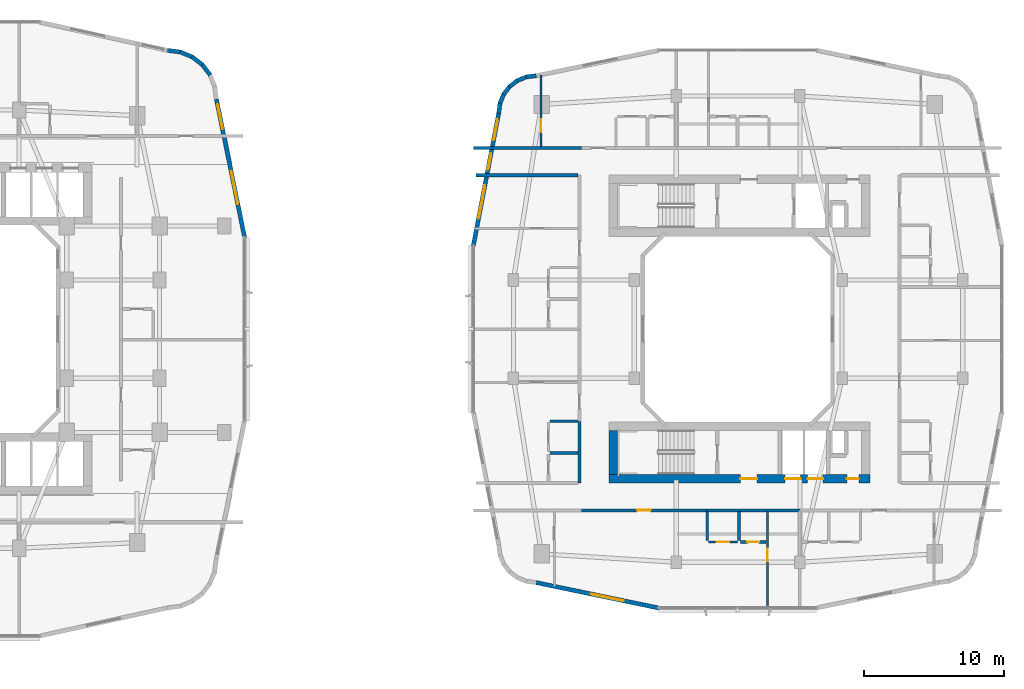
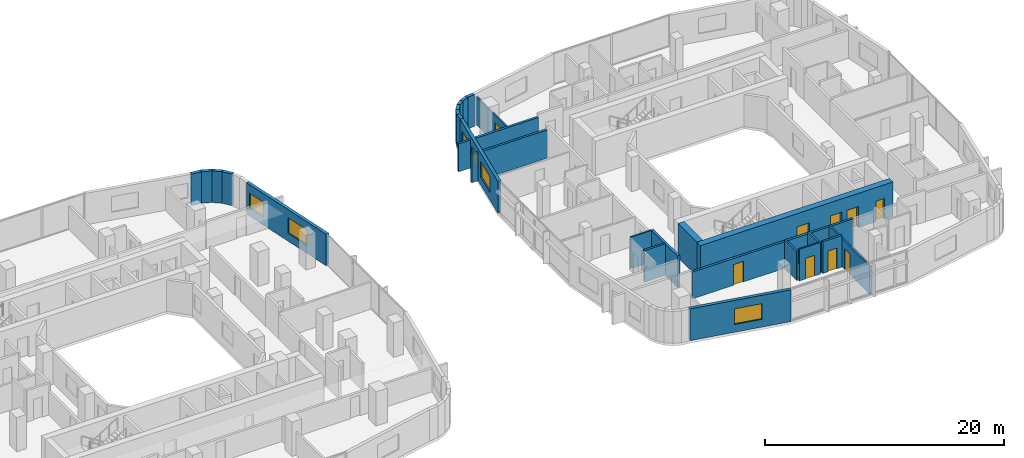
# One storey, part 17 of 26: 28 walls, 9 doors, 6 windows, 15 openings.
"""IFC4 building model written with IfcOpenShell, lengths in metres."""

import ifcopenshell
import ifcopenshell.guid

model = None  # the IFC model being written
_history = None  # IfcOwnerHistory: only IFC2X3 demands one
_inside = {}  # id of a spatial element -> (the spatial element, [elements in it])
_under = {}  # id of a project, library or spatial element -> (it, [spatial elements below it])
_declared = {}  # id of a project -> (the project, [libraries it declares])
_typed = {}  # id of a type object -> (the type object, [elements of that type])
_made_of = {}  # id of a material, layer set ... -> (it, [elements and type objects made of it])


def new_model(schema):
    """Start an empty IFC model of exactly this schema.

    Asked for "IFC4X3", IfcOpenShell would pick the latest addendum, in which some entities
    have other attributes; the version numbers below select the first issue.
    IFC2X3 requires an IfcOwnerHistory on every rooted entity: one is made here for all.
    """
    global model, _history
    if schema == "IFC4X3":
        model = ifcopenshell.file(schema_version=(4, 3, 0, 0))
    else:
        model = ifcopenshell.file(schema=schema)
    _inside.clear()
    _under.clear()
    _declared.clear()
    _typed.clear()
    _made_of.clear()
    _history = None
    if model.schema == "IFC2X3":
        org = make("IfcOrganization", Name="unknown")
        user = make(
            "IfcPersonAndOrganization",
            ThePerson=make("IfcPerson", FamilyName="unknown"),
            TheOrganization=org,
        )
        app = make(
            "IfcApplication",
            ApplicationDeveloper=org,
            Version="unknown",
            ApplicationFullName="unknown",
            ApplicationIdentifier="unknown",
        )
        _history = make(
            "IfcOwnerHistory",
            OwningUser=user,
            OwningApplication=app,
            ChangeAction="ADDED",
            CreationDate=0,
        )
    return model


def make(cls, **values):
    """One entity of the class cls with the attributes given. An attribute that is None is left unset."""
    return model.create_entity(
        cls, **{name: value for name, value in values.items() if value is not None}
    )


def rooted(cls, **values):
    """An entity with a GlobalId (a new one), such as an element, a storey or a relation."""
    return make(cls, GlobalId=ifcopenshell.guid.new(), OwnerHistory=_history, **values)


def si_unit(unit_type, name, prefix=None):
    """IfcSIUnit, for example si_unit("LENGTHUNIT", "METRE", prefix="MILLI")."""
    return make("IfcSIUnit", UnitType=unit_type, Prefix=prefix, Name=name)


def derived_unit(unit_type, elements):
    """IfcDerivedUnit: a product of units, each with its exponent."""
    return make(
        "IfcDerivedUnit",
        Elements=[
            make("IfcDerivedUnitElement", Unit=unit, Exponent=power)
            for unit, power in elements
        ],
        UnitType=unit_type,
    )


def assignment(units):
    """IfcUnitAssignment: the units of a project."""
    return None if units is None else make("IfcUnitAssignment", Units=units)


def point(xyz):
    """IfcCartesianPoint."""
    return None if xyz is None else make("IfcCartesianPoint", Coordinates=xyz)


def direction(xyz):
    """IfcDirection."""
    return None if xyz is None else make("IfcDirection", DirectionRatios=xyz)


def frame(location, z_axis=None, x_axis=None):
    """IfcAxis2Placement3D, a coordinate frame: its origin and axes. An axis left out is left unset."""
    return make(
        "IfcAxis2Placement3D",
        Location=point(location),
        Axis=direction(z_axis),
        RefDirection=direction(x_axis),
    )


def frame_2d(location, x_axis=None):
    """IfcAxis2Placement2D, a coordinate frame in the plane: its origin and x axis."""
    return make(
        "IfcAxis2Placement2D", Location=point(location), RefDirection=direction(x_axis)
    )


def origin():
    """The frame at (0, 0, 0) with its axes left unset."""
    return frame((0.0, 0.0, 0.0))


def place(relative_to, where):
    """IfcLocalPlacement: puts the frame where relative to a parent placement (None: the world)."""
    return make(
        "IfcLocalPlacement", PlacementRelTo=relative_to, RelativePlacement=where
    )


def context(
    kind, dimensions, precision=None, world=None, true_north=None, identifier=None
):
    """IfcGeometricRepresentationContext, for example the 3D "Model" context."""
    return make(
        "IfcGeometricRepresentationContext",
        ContextIdentifier=identifier,
        ContextType=kind,
        CoordinateSpaceDimension=dimensions,
        Precision=precision,
        WorldCoordinateSystem=world,
        TrueNorth=true_north,
    )


def subcontext(parent, identifier, kind, view, scale=None):
    """IfcGeometricRepresentationSubContext, for example "Body" below "Model"."""
    return make(
        "IfcGeometricRepresentationSubContext",
        ContextIdentifier=identifier,
        ContextType=kind,
        ParentContext=parent,
        TargetScale=scale,
        TargetView=view,
    )


def project(units=None, contexts=None):
    """IfcProject with its units and contexts."""
    return rooted(
        "IfcProject",
        Name="project",
        RepresentationContexts=contexts,
        UnitsInContext=assignment(units),
    )


def spatial(cls, under=None, at=None, **own):
    """A site, building, storey or space (cls), placed at a placement, below another one or the project."""
    s = rooted(cls, ObjectPlacement=at, **own)
    if under is not None:
        _under.setdefault(under.id(), (under, []))[1].append(s)
    return s


def profile(cls, at=None, kind="AREA", **sizes):
    """A parametric profile (cls). Its sizes go by their IFC names, for example OverallWidth=200.0."""
    return make(cls, ProfileType=kind, Position=at, **sizes)


def rectangle(**sizes):
    """IfcRectangleProfileDef."""
    return profile("IfcRectangleProfileDef", **sizes)


def extrude(swept, where, along, depth):
    """IfcExtrudedAreaSolid: the profile swept, set in the frame where, extruded along a direction by depth."""
    return make(
        "IfcExtrudedAreaSolid",
        SweptArea=swept,
        Position=where,
        ExtrudedDirection=direction(along),
        Depth=depth,
    )


def shape(context_of_items, identifier, shape_type, items):
    """IfcShapeRepresentation: the items that make up one representation, for example the "Body"."""
    return make(
        "IfcShapeRepresentation",
        ContextOfItems=context_of_items,
        RepresentationIdentifier=identifier,
        RepresentationType=shape_type,
        Items=items,
    )


def material(Name=None, Category=None):
    """IfcMaterial."""
    return make("IfcMaterial", Name=Name, Category=Category)


def layer(
    of_material, thickness, ventilated=None, Name=None, Category=None, Priority=None
):
    """IfcMaterialLayer: one layer of a wall or slab, of a material (None: an air gap)."""
    return make(
        "IfcMaterialLayer",
        Material=of_material,
        LayerThickness=thickness,
        IsVentilated=ventilated,
        Name=Name,
        Category=Category,
        Priority=Priority,
    )


def layer_set(layers, Name=None):
    """IfcMaterialLayerSet."""
    return make("IfcMaterialLayerSet", MaterialLayers=layers, LayerSetName=Name)


def made_of(thing, what):
    """Note that an element or type object is made of a material, layer set ...; save() writes the relation."""
    if what is not None:
        _made_of.setdefault(what.id(), (what, []))[1].append(thing)
    return thing


def type_object(cls, material=None, **own):
    """A type object (cls), such as IfcWallType, which elements share."""
    return made_of(rooted(cls, **own), material)


def element(
    cls,
    number,
    at=None,
    inside=None,
    cuts=None,
    type_object=None,
    material=None,
    context=None,
    identifier="Body",
    shape_type=None,
    held_by="IfcProductDefinitionShape",
    body=None,
    shapes=None,
    **own,
):
    """One element of the class cls, such as IfcWall. Its Tag is "e" and its number.

    at: its placement. inside: the storey or other place that contains it. cuts: it is an
    opening in that element (IfcRelVoidsElement). A single representation is given by context,
    identifier, shape_type and body (its items); several are given by shapes. held_by: the class
    of the entity that holds the representations. save() writes the other relations.
    """
    e = rooted(cls, Tag="e%d" % number, ObjectPlacement=at, **own)
    if body is not None:
        shapes = [shape(context, identifier, shape_type, body)]
    if shapes is not None:
        e.Representation = make(held_by, Representations=shapes)
    if inside is not None:
        _inside.setdefault(inside.id(), (inside, []))[1].append(e)
    if cuts is not None:
        rooted(
            "IfcRelVoidsElement", RelatingBuildingElement=cuts, RelatedOpeningElement=e
        )
    if type_object is not None:
        _typed.setdefault(type_object.id(), (type_object, []))[1].append(e)
    return made_of(e, material)


def fill(opening, filler):
    """IfcRelFillsElement: the door or window that sits in an opening."""
    return rooted(
        "IfcRelFillsElement",
        RelatingOpeningElement=opening,
        RelatedBuildingElement=filler,
    )


def aggregate(whole, parts):
    """IfcRelAggregates: a whole, such as a stair, and the parts it consists of."""
    return rooted("IfcRelAggregates", RelatingObject=whole, RelatedObjects=parts)


def save(model, path):
    """Write the relations noted so far, then the file.

    IfcRelAggregates (storeys below a building ...), IfcRelContainedInSpatialStructure (elements
    in a storey), IfcRelDefinesByType, IfcRelAssociatesMaterial and IfcRelDeclares: one each for
    every whole, place, type object, material and project.
    """
    for whole, parts in _under.values():
        aggregate(whole, parts)
    for where, things in _inside.values():
        rooted(
            "IfcRelContainedInSpatialStructure",
            RelatedElements=things,
            RelatingStructure=where,
        )
    for kind, things in _typed.values():
        rooted("IfcRelDefinesByType", RelatedObjects=things, RelatingType=kind)
    for what, things in _made_of.values():
        rooted("IfcRelAssociatesMaterial", RelatedObjects=things, RelatingMaterial=what)
    for by, libraries in _declared.values():
        rooted("IfcRelDeclares", RelatingContext=by, RelatedDefinitions=libraries)
    model.write(path)


model = new_model("IFC4")

# Units and contexts
model_context = context("Model", 3, precision=1e-05, world=origin(), true_north=direction((0.0, 1.0)))
body_context = subcontext(model_context, "Body", "Model", "MODEL_VIEW")
ifc_project = project(units=[si_unit("LENGTHUNIT", "METRE"), si_unit("AREAUNIT", "SQUARE_METRE"), si_unit("VOLUMEUNIT", "CUBIC_METRE"), si_unit("PLANEANGLEUNIT", "RADIAN"), si_unit("MASSUNIT", "GRAM", prefix="KILO"), derived_unit("THERMALTRANSMITTANCEUNIT", [(si_unit("POWERUNIT", "WATT"), 1), (si_unit("LENGTHUNIT", "METRE"), -2), (si_unit("THERMODYNAMICTEMPERATUREUNIT", "KELVIN"), -1)])], contexts=[model_context])

# Site, building, storey
site_placement = place(None, origin())
site = spatial("IfcSite", under=ifc_project, at=site_placement, CompositionType="ELEMENT")
building_placement = place(site_placement, origin())
building = spatial("IfcBuilding", under=site, at=building_placement, Name="Kivonza Crest Hotel", CompositionType="ELEMENT")
storey_placement = place(building_placement, frame((0.0, 0.0, 45.0)))
storey = spatial("IfcBuildingStorey", under=building, at=storey_placement, Name="L11", CompositionType="ELEMENT", Elevation=45.0)

# Walls
ifc_material_1 = material(Name="Autoclaved aerated concrete blockwork", Category="masonry")
ifc_layer_1 = layer(ifc_material_1, 0.219970703125)
ifc_layer_set_1 = layer_set([ifc_layer_1], Name="Autoclaved aerated concrete blockwork")
wall_type_1 = type_object("IfcWallType", Name="WL-ACOU-220", PredefinedType="SOLIDWALL", material=ifc_layer_set_1)
wall_1_placement = place(storey_placement, frame((58.159912109375, 37.89990234375, 0.0), z_axis=(0.0, 0.0, 1.0), x_axis=(1.0, 0.0, 0.0)))
element("IfcWall", 1, at=wall_1_placement, inside=storey, type_object=wall_type_1, Name="L11 interior partition WA-L11-A01-LCORR", PredefinedType="SOLIDWALL", context=body_context, shape_type="SweptSolid", body=[
    extrude(rectangle(XDim=7.690185546875, YDim=0.219970703125, at=frame_2d((3.84521484375, 0.0))), origin(), (0.0, 0.0, 1.0), 2.864990234375),
])
wall_2_placement = place(storey_placement, frame((74.719970703125, 12.10009765625, 0.0), z_axis=(0.0, 0.0, 1.0), x_axis=(1.0, 0.0, 0.0)))
element("IfcWall", 2, at=wall_2_placement, inside=storey, type_object=wall_type_1, Name="L11 interior partition WA-L11-A03-RCORR", PredefinedType="SOLIDWALL", context=body_context, shape_type="SweptSolid", body=[
    extrude(rectangle(XDim=6.679931640625, YDim=0.219970703125, at=frame_2d((3.33984375, 0.0))), origin(), (0.0, 0.0, 1.0), 2.72509765625),
])

# Wall, opening, door
wall_3_placement = place(storey_placement, frame((65.85009765625, 12.10009765625, 0.0), z_axis=(0.0, 0.0, 1.0), x_axis=(1.0, 0.0, 0.0)))
wall_3 = element("IfcWall", 3, at=wall_3_placement, inside=storey, type_object=wall_type_1, Name="L11 interior partition WA-L11-A03-MCORR", PredefinedType="SOLIDWALL", context=body_context, shape_type="SweptSolid", body=[
    extrude(rectangle(XDim=8.869873046875, YDim=0.219970703125, at=frame_2d((4.43505859375, 0.0))), origin(), (0.0, 0.0, 1.0), 2.72509765625),
])
opening_1_placement = place(wall_3_placement, frame((3.9599609375, 0.0, 0.0)))
opening_1 = element("IfcOpeningElement", 4, at=opening_1_placement, cuts=wall_3, Name="Opening DU-60", PredefinedType="OPENING", context=body_context, shape_type="SweptSolid", body=[
    extrude(rectangle(XDim=0.949951171875, YDim=2.10009765625, at=frame_2d((0.47509765625, 1.050048828125))), frame((0.0, 0.1201171875, 0.0), z_axis=(0.0, -1.0, 0.0), x_axis=(1.0, 0.0, 0.0)), (0.0, 0.0, 1.0), 0.239990234375),
])
ifc_material_2 = material(Name="Hardwood timber oak", Category="wood")
door_type_1 = type_object("IfcDoorType", Name="DR-UNIT-950", OperationType="NOTDEFINED", PredefinedType="DOOR", material=ifc_material_2)
door_1_placement = place(opening_1_placement, frame((0.949951171875, 0.0, 0.0), z_axis=(0.0, 0.0, 1.0), x_axis=(-1.0, 0.0, 0.0)))
door_1 = element("IfcDoor", 5, at=door_1_placement, inside=storey, type_object=door_type_1, Name="L11 A03 apartment entrance fire door", OperationType="SINGLE_SWING_LEFT", OverallHeight=2.10009765625, OverallWidth=0.949951171875, PredefinedType="DOOR", context=body_context, shape_type="SweptSolid", body=[
    extrude(rectangle(XDim=0.949951171875, YDim=2.10009765625, at=frame_2d((0.47509765625, 1.050048828125))), frame((0.0, 0.02490234375, 0.0), z_axis=(0.0, -1.0, 0.0), x_axis=(1.0, 0.0, 0.0)), (0.0, 0.0, 1.0), 0.050048828125),
])
fill(opening_1, door_1)

# Walls
wall_4_placement = place(storey_placement, frame((58.320068359375, 35.9599609375, 0.0), z_axis=(0.0, 0.0, 1.0), x_axis=(1.0, 0.0, 0.0)))
element("IfcWall", 6, at=wall_4_placement, inside=storey, type_object=wall_type_1, Name="L11 interior partition WA-L11-T2W-ENDN", PredefinedType="SOLIDWALL", context=body_context, shape_type="SweptSolid", body=[
    extrude(rectangle(XDim=7.280029296875, YDim=0.219970703125, at=frame_2d((3.64013671875, 0.0))), origin(), (0.0, 0.0, 1.0), 2.864990234375),
])
wall_5_placement = place(storey_placement, frame((65.699951171875, 14.0400390625, 0.0), z_axis=(0.0, 0.0, 1.0), x_axis=(0.0, 1.0, 0.0)))
element("IfcWall", 7, at=wall_5_placement, inside=storey, type_object=wall_type_1, Name="L11 interior partition WA-L11-A05-BCORR", PredefinedType="SOLIDWALL", context=body_context, shape_type="SweptSolid", body=[
    extrude(rectangle(XDim=4.39990234375, YDim=0.219970703125, at=frame_2d((2.199951171875, 0.0))), origin(), (0.0, 0.0, 1.0), 3.219970703125),
])

# Wall, openings, doors
ifc_material_3 = material(Name="Concrete C60/75", Category="concrete")
ifc_layer_2 = layer(ifc_material_3, 0.60009765625)
ifc_layer_set_2 = layer_set([ifc_layer_2], Name="Concrete C60/75")
wall_type_2 = type_object("IfcWallType", Name="WL-CORE-600", PredefinedType="SHEAR", material=ifc_layer_set_2)
wall_6_placement = place(storey_placement, frame((67.800048828125, 14.340087890625, 0.0), z_axis=(0.0, 0.0, 1.0), x_axis=(1.0, 0.0, 0.0)))
wall_6 = element("IfcWall", 8, at=wall_6_placement, inside=storey, type_object=wall_type_2, Name="Core wall T2-S South L11", PredefinedType="SHEAR", context=body_context, shape_type="SweptSolid", body=[
    extrude(rectangle(XDim=18.599853515625, YDim=0.60009765625, at=frame_2d((9.2998046875, 0.0))), origin(), (0.0, 0.0, 1.0), 3.5),
])
opening_2_placement = place(wall_6_placement, frame((9.35009765625, 0.0, 0.0)))
opening_2 = element("IfcOpeningElement", 9, at=opening_2_placement, cuts=wall_6, Name="Opening DF-60", PredefinedType="OPENING", context=body_context, shape_type="SweptSolid", body=[
    extrude(rectangle(XDim=1.199951171875, YDim=2.14990234375, at=frame_2d((0.60009765625, 1.074951171875))), frame((0.0, 0.31005859375, 0.0), z_axis=(0.0, -1.0, 0.0), x_axis=(1.0, 0.0, 0.0)), (0.0, 0.0, 1.0), 0.6201171875),
])
opening_3_placement = place(wall_6_placement, frame((16.949951171875, 0.0, 0.0)))
opening_3 = element("IfcOpeningElement", 10, at=opening_3_placement, cuts=wall_6, Name="Opening DF-60R", PredefinedType="OPENING", context=body_context, shape_type="SweptSolid", body=[
    extrude(rectangle(XDim=0.85009765625, YDim=2.10009765625, at=frame_2d((0.425048828125, 1.050048828125))), frame((0.0, 0.31005859375, 0.0), z_axis=(0.0, -1.0, 0.0), x_axis=(1.0, 0.0, 0.0)), (0.0, 0.0, 1.0), 0.6201171875),
])
opening_4_placement = place(wall_6_placement, frame((12.550048828125, 0.0, 0.0)))
opening_4 = element("IfcOpeningElement", 11, at=opening_4_placement, cuts=wall_6, Name="Opening LD-120", PredefinedType="OPENING", context=body_context, shape_type="SweptSolid", body=[
    extrude(rectangle(XDim=1.10009765625, YDim=2.14990234375, at=frame_2d((0.550048828125, 1.074951171875))), frame((0.0, 0.31005859375, 0.0), z_axis=(0.0, -1.0, 0.0), x_axis=(1.0, 0.0, 0.0)), (0.0, 0.0, 1.0), 0.6201171875),
])
opening_5_placement = place(wall_6_placement, frame((14.14990234375, 0.0, 0.0)))
opening_5 = element("IfcOpeningElement", 12, at=opening_5_placement, cuts=wall_6, Name="Opening LD-120", PredefinedType="OPENING", context=body_context, shape_type="SweptSolid", body=[
    extrude(rectangle(XDim=1.10009765625, YDim=2.14990234375, at=frame_2d((0.550048828125, 1.074951171875))), frame((0.0, 0.31005859375, 0.0), z_axis=(0.0, -1.0, 0.0), x_axis=(1.0, 0.0, 0.0)), (0.0, 0.0, 1.0), 0.6201171875),
])
door_type_2 = type_object("IfcDoorType", Name="DR-FD60-1200", OperationType="NOTDEFINED", PredefinedType="DOOR", material=ifc_material_2)
door_2_placement = place(opening_2_placement, frame((1.199951171875, 0.0, 0.0), z_axis=(0.0, 0.0, 1.0), x_axis=(-1.0, 0.0, 0.0)))
door_2 = element("IfcDoor", 13, at=door_2_placement, inside=storey, type_object=door_type_2, Name="L11 T2-S firefighting lobby fire door", OperationType="SINGLE_SWING_LEFT", OverallHeight=2.14990234375, OverallWidth=1.199951171875, PredefinedType="DOOR", context=body_context, shape_type="SweptSolid", body=[
    extrude(rectangle(XDim=1.199951171875, YDim=2.14990234375, at=frame_2d((0.60009765625, 1.074951171875))), frame((0.0, 0.02490234375, 0.0), z_axis=(0.0, -1.0, 0.0), x_axis=(1.0, 0.0, 0.0)), (0.0, 0.0, 1.0), 0.050048828125),
])
fill(opening_2, door_2)
door_type_3 = type_object("IfcDoorType", Name="DR-FD60-850", OperationType="NOTDEFINED", PredefinedType="DOOR", material=ifc_material_2)
door_3_placement = place(opening_3_placement, frame((0.85009765625, 0.0, 0.0), z_axis=(0.0, 0.0, 1.0), x_axis=(-1.0, 0.0, 0.0)))
door_3 = element("IfcDoor", 14, at=door_3_placement, inside=storey, type_object=door_type_3, Name="L11 T2-S core room door", OperationType="SINGLE_SWING_RIGHT", OverallHeight=2.10009765625, OverallWidth=0.85009765625, PredefinedType="DOOR", context=body_context, shape_type="SweptSolid", body=[
    extrude(rectangle(XDim=0.85009765625, YDim=2.10009765625, at=frame_2d((0.425048828125, 1.050048828125))), frame((0.0, 0.02490234375, 0.0), z_axis=(0.0, -1.0, 0.0), x_axis=(1.0, 0.0, 0.0)), (0.0, 0.0, 1.0), 0.050048828125),
])
fill(opening_3, door_3)
ifc_material_4 = material(Name="Stainless steel", Category="steel")
door_type_4 = type_object("IfcDoorType", Name="DR-LD120-1100", OperationType="NOTDEFINED", PredefinedType="DOOR", material=ifc_material_4)
door_4_placement = place(opening_4_placement, frame((1.10009765625, 0.0, 0.0), z_axis=(0.0, 0.0, 1.0), x_axis=(-1.0, 0.0, 0.0)))
door_4 = element("IfcDoor", 15, at=door_4_placement, inside=storey, type_object=door_type_4, Name="L11 PL-T2-1 passenger lift sliding landing door", OperationType="DOUBLE_DOOR_SLIDING", OverallHeight=2.14990234375, OverallWidth=1.10009765625, PredefinedType="DOOR", context=body_context, shape_type="SweptSolid", body=[
    extrude(rectangle(XDim=1.10009765625, YDim=2.14990234375, at=frame_2d((0.550048828125, 1.074951171875))), frame((0.0, 0.02490234375, 0.0), z_axis=(0.0, -1.0, 0.0), x_axis=(1.0, 0.0, 0.0)), (0.0, 0.0, 1.0), 0.050048828125),
])
fill(opening_4, door_4)
door_5_placement = place(opening_5_placement, frame((1.10009765625, 0.0, 0.0), z_axis=(0.0, 0.0, 1.0), x_axis=(-1.0, 0.0, 0.0)))
door_5 = element("IfcDoor", 16, at=door_5_placement, inside=storey, type_object=door_type_4, Name="L11 PL-T2-2 passenger lift sliding landing door", OperationType="DOUBLE_DOOR_SLIDING", OverallHeight=2.14990234375, OverallWidth=1.10009765625, PredefinedType="DOOR", context=body_context, shape_type="SweptSolid", body=[
    extrude(rectangle(XDim=1.10009765625, YDim=2.14990234375, at=frame_2d((0.550048828125, 1.074951171875))), frame((0.0, 0.02490234375, 0.0), z_axis=(0.0, -1.0, 0.0), x_axis=(1.0, 0.0, 0.0)), (0.0, 0.0, 1.0), 0.050048828125),
])
fill(opening_5, door_5)

# Wall
wall_7_placement = place(storey_placement, frame((68.10009765625, 14.639892578125, 0.0), z_axis=(0.0, 0.0, 1.0), x_axis=(0.0, 1.0, 0.0)))
element("IfcWall", 17, at=wall_7_placement, inside=storey, type_object=wall_type_2, Name="Core wall T2-S West L11", PredefinedType="SHEAR", context=body_context, shape_type="SweptSolid", body=[
    extrude(rectangle(XDim=3.16015625, YDim=0.60009765625, at=frame_2d((1.580078125, 0.0))), origin(), (0.0, 0.0, 1.0), 3.5),
])

# Wall, openings, windows
ifc_material_5 = material(Name="Precast concrete C40/50", Category="concrete")
ifc_layer_3 = layer(ifc_material_5, 0.300048828125)
ifc_layer_set_3 = layer_set([ifc_layer_3], Name="Precast concrete C40/50")
wall_type_3 = type_object("IfcWallType", Name="WL-EXT-300", PredefinedType="STANDARD", material=ifc_layer_set_3)
wall_8_placement = place(storey_placement, frame((41.864013671875, 31.51611328125, 0.0), z_axis=(0.0, 0.0, 1.0), x_axis=(-0.199990901713, 0.979797754249, 0.0)))
wall_8 = element("IfcWall", 18, at=wall_8_placement, inside=storey, type_object=wall_type_3, Name="L11 T1 exterior insulated wall 18", PredefinedType="STANDARD", context=body_context, shape_type="SweptSolid", body=[
    extrude(rectangle(XDim=10.065185546875, YDim=0.300048828125, at=frame_2d((5.03271484375, 0.0))), origin(), (0.0, 0.0, 1.0), 3.219970703125),
])
opening_6_placement = place(wall_8_placement, frame((2.428955078125, 0.0, 0.800048828125)))
opening_6 = element("IfcOpeningElement", 19, at=opening_6_placement, cuts=wall_8, Name="Opening WN-05", PredefinedType="OPENING", context=body_context, shape_type="SweptSolid", body=[
    extrude(rectangle(XDim=2.39990234375, YDim=1.60009765625, at=frame_2d((1.199951171875, 0.800048828125))), frame((0.0, 0.16015625, 0.0), z_axis=(0.0, -1.0, 0.0), x_axis=(1.0, 0.0, 0.0)), (0.0, 0.0, 1.0), 0.320068359375),
])
opening_7_placement = place(wall_8_placement, frame((7.886962890625, 0.0, 0.85009765625)))
opening_7 = element("IfcOpeningElement", 20, at=opening_7_placement, cuts=wall_8, Name="Opening WN-03", PredefinedType="OPENING", context=body_context, shape_type="SweptSolid", body=[
    extrude(rectangle(XDim=1.800048828125, YDim=1.5, at=frame_2d((0.89990234375, 0.75))), frame((0.0, 0.16015625, 0.0), z_axis=(0.0, -1.0, 0.0), x_axis=(1.0, 0.0, 0.0)), (0.0, 0.0, 1.0), 0.320068359375),
])
ifc_material_6 = material(Name="Thermally broken bronze aluminium and low-E double glazing", Category="aluminium")
window_type_1 = type_object("IfcWindowType", Name="WN-180x150", PartitioningType="DOUBLE_PANEL_VERTICAL", PredefinedType="WINDOW", material=ifc_material_6)
window_1_placement = place(opening_7_placement, origin())
window_1 = element("IfcWindow", 21, at=window_1_placement, inside=storey, type_object=window_type_1, Name="L11 T1 facade window 18 bay 2", OverallHeight=1.5, OverallWidth=1.800048828125, PartitioningType="SINGLE_PANEL", PredefinedType="WINDOW", context=body_context, shape_type="SweptSolid", body=[
    extrude(rectangle(XDim=1.800048828125, YDim=1.5, at=frame_2d((0.89990234375, 0.75))), frame((0.0, 0.030029296875, 0.0), z_axis=(0.0, -1.0, 0.0), x_axis=(1.0, 0.0, 0.0)), (0.0, 0.0, 1.0), 0.06005859375),
])
fill(opening_7, window_1)
window_type_2 = type_object("IfcWindowType", Name="WN-240x160", PartitioningType="TRIPLE_PANEL_VERTICAL", PredefinedType="WINDOW", material=ifc_material_6)
window_2_placement = place(opening_6_placement, origin())
window_2 = element("IfcWindow", 22, at=window_2_placement, inside=storey, type_object=window_type_2, Name="L11 T1 facade window 18 bay 1", OverallHeight=1.60009765625, OverallWidth=2.39990234375, PartitioningType="SINGLE_PANEL", PredefinedType="WINDOW", context=body_context, shape_type="SweptSolid", body=[
    extrude(rectangle(XDim=2.39990234375, YDim=1.60009765625, at=frame_2d((1.199951171875, 0.800048828125))), frame((0.0, 0.030029296875, 0.0), z_axis=(0.0, -1.0, 0.0), x_axis=(1.0, 0.0, 0.0)), (0.0, 0.0, 1.0), 0.06005859375),
])
fill(opening_6, window_2)

# Walls
wall_9_placement = place(storey_placement, frame((39.4140625, 43.089111328125, 0.0), z_axis=(0.0, 0.0, 1.0), x_axis=(-0.608474481025, 0.793573440799, 0.0)))
element("IfcWall", 23, at=wall_9_placement, inside=storey, type_object=wall_type_3, Name="L11 T1 exterior insulated wall 21", PredefinedType="STANDARD", context=body_context, shape_type="SweptSolid", body=[
    extrude(rectangle(XDim=0.954833984375, YDim=0.300048828125, at=frame_2d((0.4775390625, 0.0))), origin(), (0.0, 0.0, 1.0), 3.219970703125),
])
wall_10_placement = place(storey_placement, frame((38.875, 43.81201171875, 0.0), z_axis=(0.0, 0.0, 1.0), x_axis=(-0.793668068435, 0.608351047625, 0.0)))
element("IfcWall", 24, at=wall_10_placement, inside=storey, type_object=wall_type_3, Name="L11 T1 exterior insulated wall 22", PredefinedType="STANDARD", context=body_context, shape_type="SweptSolid", body=[
    extrude(rectangle(XDim=0.955078125, YDim=0.300048828125, at=frame_2d((0.4775390625, 0.0))), origin(), (0.0, 0.0, 1.0), 3.219970703125),
])
wall_11_placement = place(storey_placement, frame((38.166015625, 44.368896484375, 0.0), z_axis=(0.0, 0.0, 1.0), x_axis=(-0.924019948111, 0.382344263057, 0.0)))
element("IfcWall", 25, at=wall_11_placement, inside=storey, type_object=wall_type_3, Name="L11 T1 exterior insulated wall 23", PredefinedType="STANDARD", context=body_context, shape_type="SweptSolid", body=[
    extrude(rectangle(XDim=0.95458984375, YDim=0.300048828125, at=frame_2d((0.477294921875, 0.0))), origin(), (0.0, 0.0, 1.0), 3.219970703125),
])
wall_12_placement = place(storey_placement, frame((37.3369140625, 44.72509765625, 0.0), z_axis=(0.0, 0.0, 1.0), x_axis=(-0.991454295543, 0.130454512571, 0.0)))
element("IfcWall", 26, at=wall_12_placement, inside=storey, type_object=wall_type_3, Name="L11 T1 exterior insulated wall 24", PredefinedType="STANDARD", context=body_context, shape_type="SweptSolid", body=[
    extrude(rectangle(XDim=0.97314453125, YDim=0.300048828125, at=frame_2d((0.486572265625, 0.0))), origin(), (0.0, 0.0, 1.0), 3.219970703125),
])

# Wall, opening, window
wall_13_placement = place(storey_placement, frame((62.6220703125, 6.948974609375, 0.0), z_axis=(0.0, 0.0, 1.0), x_axis=(0.979127260729, -0.203248142175, 0.0)))
wall_13 = element("IfcWall", 27, at=wall_13_placement, inside=storey, type_object=wall_type_3, Name="L11 T2 exterior insulated wall 7", PredefinedType="STANDARD", context=body_context, shape_type="SweptSolid", body=[
    extrude(rectangle(XDim=8.920166015625, YDim=0.300048828125, at=frame_2d((4.4599609375, 0.0))), origin(), (0.0, 0.0, 1.0), 3.25),
])
opening_8_placement = place(wall_13_placement, frame((3.95703125, 0.0, 0.800048828125)))
opening_8 = element("IfcOpeningElement", 28, at=opening_8_placement, cuts=wall_13, Name="Opening WN-05", PredefinedType="OPENING", context=body_context, shape_type="SweptSolid", body=[
    extrude(rectangle(XDim=2.39990234375, YDim=1.60009765625, at=frame_2d((1.199951171875, 0.800048828125))), frame((0.0, 0.16015625, 0.0), z_axis=(0.0, -1.0, 0.0), x_axis=(1.0, 0.0, 0.0)), (0.0, 0.0, 1.0), 0.320068359375),
])
window_3_placement = place(opening_8_placement, origin())
window_3 = element("IfcWindow", 29, at=window_3_placement, inside=storey, type_object=window_type_2, Name="L11 T2 facade window 7", OverallHeight=1.60009765625, OverallWidth=2.39990234375, PartitioningType="SINGLE_PANEL", PredefinedType="WINDOW", context=body_context, shape_type="SweptSolid", body=[
    extrude(rectangle(XDim=2.39990234375, YDim=1.60009765625, at=frame_2d((1.199951171875, 0.800048828125))), frame((0.0, 0.030029296875, 0.0), z_axis=(0.0, -1.0, 0.0), x_axis=(1.0, 0.0, 0.0)), (0.0, 0.0, 1.0), 0.06005859375),
])
fill(opening_8, window_3)

# Walls
wall_14_placement = place(storey_placement, frame((62.626953125, 43.052001953125, 0.0), z_axis=(0.0, 0.0, 1.0), x_axis=(-0.991480488834, -0.130255288807, 0.0)))
element("IfcWall", 30, at=wall_14_placement, inside=storey, type_object=wall_type_3, Name="L11 T2 exterior insulated wall 28", PredefinedType="STANDARD", context=body_context, shape_type="SweptSolid", body=[
    extrude(rectangle(XDim=0.72900390625, YDim=0.300048828125, at=frame_2d((0.364501953125, 0.0))), origin(), (0.0, 0.0, 1.0), 3.25),
])
for number, where, z_axis, x_axis, name in (
    (31, (61.955078125, 42.97607421875, 0.0), (0.0, 0.0, 1.0), (-0.923521684703, -0.383546213491, 0.0), "L11 T2 exterior insulated wall 29"),
    (32, (61.31103515625, 42.720947265625, 0.0), (0.0, 0.0, 1.0), (-0.79363269798, -0.608397189915, 0.0), "L11 T2 exterior insulated wall 30"),
    (33, (60.75390625, 42.30908203125, 0.0), (0.0, 0.0, 1.0), (-0.608397189915, -0.79363269798, 0.0), "L11 T2 exterior insulated wall 31"),
    (34, (60.323974609375, 41.76611328125, 0.0), (0.0, 0.0, 1.0), (-0.383151213466, -0.923685632463, 0.0), "L11 T2 exterior insulated wall 32"),
):
    element("IfcWall", number, at=place(storey_placement, frame(where, z_axis=z_axis, x_axis=x_axis)), inside=storey, type_object=wall_type_3, Name=name, PredefinedType="STANDARD", context=body_context, shape_type="SweptSolid", body=[
        extrude(rectangle(XDim=0.74609375, YDim=0.300048828125, at=frame_2d((0.373046875, 0.0))), origin(), (0.0, 0.0, 1.0), 3.25),
    ])
wall_15_placement = place(storey_placement, frame((60.047119140625, 41.131103515625, 0.0), z_axis=(0.0, 0.0, 1.0), x_axis=(-0.129653178221, -0.991559404866, 0.0)))
element("IfcWall", 35, at=wall_15_placement, inside=storey, type_object=wall_type_3, Name="L11 T2 exterior insulated wall 33", PredefinedType="STANDARD", context=body_context, shape_type="SweptSolid", body=[
    extrude(rectangle(XDim=0.764404296875, YDim=0.300048828125, at=frame_2d((0.38232421875, 0.0))), origin(), (0.0, 0.0, 1.0), 3.25),
])

# Wall, openings, windows
wall_16_placement = place(storey_placement, frame((59.948974609375, 40.3798828125, 0.0), z_axis=(0.0, 0.0, 1.0), x_axis=(-0.188087874316, -0.982152203854, 0.0)))
wall_16 = element("IfcWall", 36, at=wall_16_placement, inside=storey, type_object=wall_type_3, Name="L11 T2 exterior insulated wall 34", PredefinedType="STANDARD", context=body_context, shape_type="SweptSolid", body=[
    extrude(rectangle(XDim=9.6337890625, YDim=0.300048828125, at=frame_2d((4.81689453125, 0.0))), origin(), (0.0, 0.0, 1.0), 3.25),
])
opening_9_placement = place(wall_16_placement, frame((0.451904296875, 0.0, 0.85009765625)))
opening_9 = element("IfcOpeningElement", 37, at=opening_9_placement, cuts=wall_16, Name="Opening WN-02", PredefinedType="OPENING", context=body_context, shape_type="SweptSolid", body=[
    extrude(rectangle(XDim=1.5, YDim=1.5, at=frame_2d((0.75, 0.75))), frame((0.0, 0.16015625, 0.0), z_axis=(0.0, -1.0, 0.0), x_axis=(1.0, 0.0, 0.0)), (0.0, 0.0, 1.0), 0.320068359375),
])
opening_10_placement = place(wall_16_placement, frame((2.9130859375, 0.0, 0.85009765625)))
opening_10 = element("IfcOpeningElement", 38, at=opening_10_placement, cuts=wall_16, Name="Opening WN-01", PredefinedType="OPENING", context=body_context, shape_type="SweptSolid", body=[
    extrude(rectangle(XDim=1.199951171875, YDim=1.5, at=frame_2d((0.60009765625, 0.75))), frame((0.0, 0.16015625, 0.0), z_axis=(0.0, -1.0, 0.0), x_axis=(1.0, 0.0, 0.0)), (0.0, 0.0, 1.0), 0.320068359375),
])
opening_11_placement = place(wall_16_placement, frame((5.235107421875, 0.0, 0.800048828125)))
opening_11 = element("IfcOpeningElement", 39, at=opening_11_placement, cuts=wall_16, Name="Opening WN-05", PredefinedType="OPENING", context=body_context, shape_type="SweptSolid", body=[
    extrude(rectangle(XDim=2.39990234375, YDim=1.60009765625, at=frame_2d((1.199951171875, 0.800048828125))), frame((0.0, 0.16015625, 0.0), z_axis=(0.0, -1.0, 0.0), x_axis=(1.0, 0.0, 0.0)), (0.0, 0.0, 1.0), 0.320068359375),
])
window_type_3 = type_object("IfcWindowType", Name="WN-120x150", PartitioningType="SINGLE_PANEL", PredefinedType="WINDOW", material=ifc_material_6)
window_4_placement = place(opening_10_placement, origin())
window_4 = element("IfcWindow", 40, at=window_4_placement, inside=storey, type_object=window_type_3, Name="L11 T2 facade window 34 bay 2", OverallHeight=1.5, OverallWidth=1.199951171875, PartitioningType="SINGLE_PANEL", PredefinedType="WINDOW", context=body_context, shape_type="SweptSolid", body=[
    extrude(rectangle(XDim=1.199951171875, YDim=1.5, at=frame_2d((0.60009765625, 0.75))), frame((0.0, 0.030029296875, 0.0), z_axis=(0.0, -1.0, 0.0), x_axis=(1.0, 0.0, 0.0)), (0.0, 0.0, 1.0), 0.06005859375),
])
fill(opening_10, window_4)
window_type_4 = type_object("IfcWindowType", Name="WN-150x150", PartitioningType="DOUBLE_PANEL_VERTICAL", PredefinedType="WINDOW", material=ifc_material_6)
window_5_placement = place(opening_9_placement, origin())
window_5 = element("IfcWindow", 41, at=window_5_placement, inside=storey, type_object=window_type_4, Name="L11 T2 facade window 34 bay 1", OverallHeight=1.5, OverallWidth=1.5, PartitioningType="SINGLE_PANEL", PredefinedType="WINDOW", context=body_context, shape_type="SweptSolid", body=[
    extrude(rectangle(XDim=1.5, YDim=1.5, at=frame_2d((0.75, 0.75))), frame((0.0, 0.030029296875, 0.0), z_axis=(0.0, -1.0, 0.0), x_axis=(1.0, 0.0, 0.0)), (0.0, 0.0, 1.0), 0.06005859375),
])
fill(opening_9, window_5)
window_6_placement = place(opening_11_placement, origin())
window_6 = element("IfcWindow", 42, at=window_6_placement, inside=storey, type_object=window_type_2, Name="L11 T2 facade window 34 bay 3", OverallHeight=1.60009765625, OverallWidth=2.39990234375, PartitioningType="SINGLE_PANEL", PredefinedType="WINDOW", context=body_context, shape_type="SweptSolid", body=[
    extrude(rectangle(XDim=2.39990234375, YDim=1.60009765625, at=frame_2d((1.199951171875, 0.800048828125))), frame((0.0, 0.030029296875, 0.0), z_axis=(0.0, -1.0, 0.0), x_axis=(1.0, 0.0, 0.0)), (0.0, 0.0, 1.0), 0.06005859375),
])
fill(opening_11, window_6)

# Wall, opening, door
ifc_material_7 = material(Name="Twin-stud acoustic gypsum board partition", Category="gypsum")
ifc_layer_4 = layer(ifc_material_7, 0.14990234375)
ifc_layer_set_4 = layer_set([ifc_layer_4], Name="Twin-stud acoustic gypsum board partition")
wall_type_4 = type_object("IfcWallType", Name="WL-PART-150", PredefinedType="PARTITIONING", material=ifc_layer_set_4)
wall_17_placement = place(storey_placement, frame((62.9599609375, 38.0, 0.0), z_axis=(0.0, 0.0, 1.0), x_axis=(0.0, 1.0, 0.0)))
wall_17 = element("IfcWall", 43, at=wall_17_placement, inside=storey, type_object=wall_type_4, Name="L11 interior partition WP-L11-A01-BDW1", PredefinedType="PARTITIONING", context=body_context, shape_type="SweptSolid", body=[
    extrude(rectangle(XDim=5.113037109375, YDim=0.14990234375, at=frame_2d((2.556640625, 0.0))), origin(), (0.0, 0.0, 1.0), 2.864990234375),
])
opening_12_placement = place(wall_17_placement, frame((1.030029296875, 0.0, 0.0)))
opening_12 = element("IfcOpeningElement", 44, at=opening_12_placement, cuts=wall_17, Name="Opening DI-90", PredefinedType="OPENING", context=body_context, shape_type="SweptSolid", body=[
    extrude(rectangle(XDim=0.89990234375, YDim=2.10009765625, at=frame_2d((0.449951171875, 1.050048828125))), frame((0.0, 0.0849609375, 0.0), z_axis=(0.0, -1.0, 0.0), x_axis=(1.0, 0.0, 0.0)), (0.0, 0.0, 1.0), 0.169921875),
])
door_type_5 = type_object("IfcDoorType", Name="DR-INT-900", OperationType="NOTDEFINED", PredefinedType="DOOR", material=ifc_material_2)
door_6_placement = place(opening_12_placement, origin())
door_6 = element("IfcDoor", 45, at=door_6_placement, inside=storey, type_object=door_type_5, Name="L11 A01 bedroom 1 door", OperationType="SINGLE_SWING_RIGHT", OverallHeight=2.10009765625, OverallWidth=0.89990234375, PredefinedType="DOOR", context=body_context, shape_type="SweptSolid", body=[
    extrude(rectangle(XDim=0.89990234375, YDim=2.10009765625, at=frame_2d((0.449951171875, 1.050048828125))), frame((0.0, 0.02490234375, 0.0), z_axis=(0.0, -1.0, 0.0), x_axis=(1.0, 0.0, 0.0)), (0.0, 0.0, 1.0), 0.050048828125),
])
fill(opening_12, door_6)

wall_18_placement = place(storey_placement, frame((79.10009765625, 5.159912109375, 0.0), z_axis=(0.0, 0.0, 1.0), x_axis=(0.0, 1.0, 0.0)))
wall_18 = element("IfcWall", 46, at=wall_18_placement, inside=storey, type_object=wall_type_4, Name="L11 interior partition WP-L11-A03-BDW2", PredefinedType="PARTITIONING", context=body_context, shape_type="SweptSolid", body=[
    extrude(rectangle(XDim=6.840087890625, YDim=0.14990234375, at=frame_2d((3.419921875, 0.0))), origin(), (0.0, 0.0, 1.0), 2.864990234375),
])
opening_13_placement = place(wall_18_placement, frame((3.31005859375, 0.0, 0.0)))
opening_13 = element("IfcOpeningElement", 47, at=opening_13_placement, cuts=wall_18, Name="Opening DI-90", PredefinedType="OPENING", context=body_context, shape_type="SweptSolid", body=[
    extrude(rectangle(XDim=0.89990234375, YDim=2.10009765625, at=frame_2d((0.449951171875, 1.050048828125))), frame((0.0, 0.0849609375, 0.0), z_axis=(0.0, -1.0, 0.0), x_axis=(1.0, 0.0, 0.0)), (0.0, 0.0, 1.0), 0.169921875),
])
door_7_placement = place(opening_13_placement, origin())
door_7 = element("IfcDoor", 48, at=door_7_placement, inside=storey, type_object=door_type_5, Name="L11 A03 bedroom 2 door", OperationType="SINGLE_SWING_LEFT", OverallHeight=2.10009765625, OverallWidth=0.89990234375, PredefinedType="DOOR", context=body_context, shape_type="SweptSolid", body=[
    extrude(rectangle(XDim=0.89990234375, YDim=2.10009765625, at=frame_2d((0.449951171875, 1.050048828125))), frame((0.0, 0.02490234375, 0.0), z_axis=(0.0, -1.0, 0.0), x_axis=(1.0, 0.0, 0.0)), (0.0, 0.0, 1.0), 0.050048828125),
])
fill(opening_13, door_7)

# Wall
wall_19_placement = place(storey_placement, frame((74.800048828125, 9.949951171875, 0.0), z_axis=(0.0, 0.0, 1.0), x_axis=(0.0, 1.0, 0.0)))
element("IfcWall", 49, at=wall_19_placement, inside=storey, type_object=wall_type_4, Name="L11 interior partition WP-L11-A03-KF", PredefinedType="PARTITIONING", context=body_context, shape_type="SweptSolid", body=[
    extrude(rectangle(XDim=2.050048828125, YDim=0.14990234375, at=frame_2d((1.02490234375, 0.0))), origin(), (0.0, 0.0, 1.0), 2.955078125),
])

# Wall, opening, door
wall_20_placement = place(storey_placement, frame((74.89990234375, 9.85009765625, 0.0), z_axis=(0.0, 0.0, 1.0), x_axis=(1.0, 0.0, 0.0)))
wall_20 = element("IfcWall", 50, at=wall_20_placement, inside=storey, type_object=wall_type_4, Name="L11 interior partition WP-L11-A03-KSVC", PredefinedType="PARTITIONING", context=body_context, shape_type="SweptSolid", body=[
    extrude(rectangle(XDim=2.050048828125, YDim=0.14990234375, at=frame_2d((1.02490234375, 0.0))), origin(), (0.0, 0.0, 1.0), 3.219970703125),
])
opening_14_placement = place(wall_20_placement, frame((0.574951171875, 0.0, 0.0)))
opening_14 = element("IfcOpeningElement", 51, at=opening_14_placement, cuts=wall_20, Name="Opening DI-90", PredefinedType="OPENING", context=body_context, shape_type="SweptSolid", body=[
    extrude(rectangle(XDim=0.89990234375, YDim=2.10009765625, at=frame_2d((0.449951171875, 1.050048828125))), frame((0.0, 0.0849609375, 0.0), z_axis=(0.0, -1.0, 0.0), x_axis=(1.0, 0.0, 0.0)), (0.0, 0.0, 1.0), 0.169921875),
])
door_8_placement = place(opening_14_placement, frame((0.89990234375, 0.0, 0.0), z_axis=(0.0, 0.0, 1.0), x_axis=(-1.0, 0.0, 0.0)))
door_8 = element("IfcDoor", 52, at=door_8_placement, inside=storey, type_object=door_type_5, Name="L11 A03 apartment kitchen door", OperationType="SINGLE_SWING_LEFT", OverallHeight=2.10009765625, OverallWidth=0.89990234375, PredefinedType="DOOR", context=body_context, shape_type="SweptSolid", body=[
    extrude(rectangle(XDim=0.89990234375, YDim=2.10009765625, at=frame_2d((0.449951171875, 1.050048828125))), frame((0.0, 0.02490234375, 0.0), z_axis=(0.0, -1.0, 0.0), x_axis=(1.0, 0.0, 0.0)), (0.0, 0.0, 1.0), 0.050048828125),
])
fill(opening_14, door_8)

# Walls
wall_21_placement = place(storey_placement, frame((63.60009765625, 18.43994140625, 0.0), z_axis=(0.0, 0.0, 1.0), x_axis=(1.0, 0.0, 0.0)))
element("IfcWall", 53, at=wall_21_placement, inside=storey, type_object=wall_type_4, Name="L11 interior partition WP-L11-A05-KF", PredefinedType="PARTITIONING", context=body_context, shape_type="SweptSolid", body=[
    extrude(rectangle(XDim=2.0, YDim=0.14990234375, at=frame_2d((1.0, 0.0))), origin(), (0.0, 0.0, 1.0), 3.219970703125),
])
ifc_material_8 = material(Name="Moisture-resistant plumbing chase partition wall", Category="gypsum")
ifc_layer_5 = layer(ifc_material_8, 0.199951171875)
ifc_layer_set_5 = layer_set([ifc_layer_5], Name="Moisture-resistant plumbing chase partition wall")
wall_type_5 = type_object("IfcWallType", Name="WL-PLUMB-200", PredefinedType="PLUMBINGWALL", material=ifc_layer_set_5)
wall_22_placement = place(storey_placement, frame((77.050048828125, 9.949951171875, 0.0), z_axis=(0.0, 0.0, 1.0), x_axis=(0.0, 1.0, 0.0)))
element("IfcWall", 54, at=wall_22_placement, inside=storey, type_object=wall_type_5, Name="L11 interior partition WW-L11-A03-BK", PredefinedType="PLUMBINGWALL", context=body_context, shape_type="SweptSolid", body=[
    extrude(rectangle(XDim=2.050048828125, YDim=0.199951171875, at=frame_2d((1.02490234375, 0.0))), origin(), (0.0, 0.0, 1.0), 2.955078125),
])

# Wall, opening, door
wall_23_placement = place(storey_placement, frame((77.14990234375, 9.85009765625, 0.0), z_axis=(0.0, 0.0, 1.0), x_axis=(1.0, 0.0, 0.0)))
wall_23 = element("IfcWall", 55, at=wall_23_placement, inside=storey, type_object=wall_type_5, Name="L11 interior partition WW-L11-A03-BSVC", PredefinedType="PLUMBINGWALL", context=body_context, shape_type="SweptSolid", body=[
    extrude(rectangle(XDim=1.85009765625, YDim=0.199951171875, at=frame_2d((0.925048828125, 0.0))), origin(), (0.0, 0.0, 1.0), 3.219970703125),
])
opening_15_placement = place(wall_23_placement, frame((0.5, 0.0, 0.0)))
opening_15 = element("IfcOpeningElement", 56, at=opening_15_placement, cuts=wall_23, Name="Opening DI-85", PredefinedType="OPENING", context=body_context, shape_type="SweptSolid", body=[
    extrude(rectangle(XDim=0.85009765625, YDim=2.10009765625, at=frame_2d((0.425048828125, 1.050048828125))), frame((0.0, 0.10986328125, 0.0), z_axis=(0.0, -1.0, 0.0), x_axis=(1.0, 0.0, 0.0)), (0.0, 0.0, 1.0), 0.219970703125),
])
door_type_6 = type_object("IfcDoorType", Name="DR-INT-850", OperationType="NOTDEFINED", PredefinedType="DOOR", material=ifc_material_2)
door_9_placement = place(opening_15_placement, frame((0.85009765625, 0.0, 0.0), z_axis=(0.0, 0.0, 1.0), x_axis=(-1.0, 0.0, 0.0)))
door_9 = element("IfcDoor", 57, at=door_9_placement, inside=storey, type_object=door_type_6, Name="L11 A03 apartment bathroom door", OperationType="SINGLE_SWING_RIGHT", OverallHeight=2.10009765625, OverallWidth=0.85009765625, PredefinedType="DOOR", context=body_context, shape_type="SweptSolid", body=[
    extrude(rectangle(XDim=0.85009765625, YDim=2.10009765625, at=frame_2d((0.425048828125, 1.050048828125))), frame((0.0, 0.02490234375, 0.0), z_axis=(0.0, -1.0, 0.0), x_axis=(1.0, 0.0, 0.0)), (0.0, 0.0, 1.0), 0.050048828125),
])
fill(opening_15, door_9)

# Wall
wall_24_placement = place(storey_placement, frame((63.60009765625, 16.18994140625, 0.0), z_axis=(0.0, 0.0, 1.0), x_axis=(1.0, 0.0, 0.0)))
element("IfcWall", 58, at=wall_24_placement, inside=storey, type_object=wall_type_5, Name="L11 interior partition WW-L11-A05-BK", PredefinedType="PLUMBINGWALL", context=body_context, shape_type="SweptSolid", body=[
    extrude(rectangle(XDim=2.0, YDim=0.199951171875, at=frame_2d((1.0, 0.0))), origin(), (0.0, 0.0, 1.0), 3.219970703125),
])

save(model, "model.ifc")
